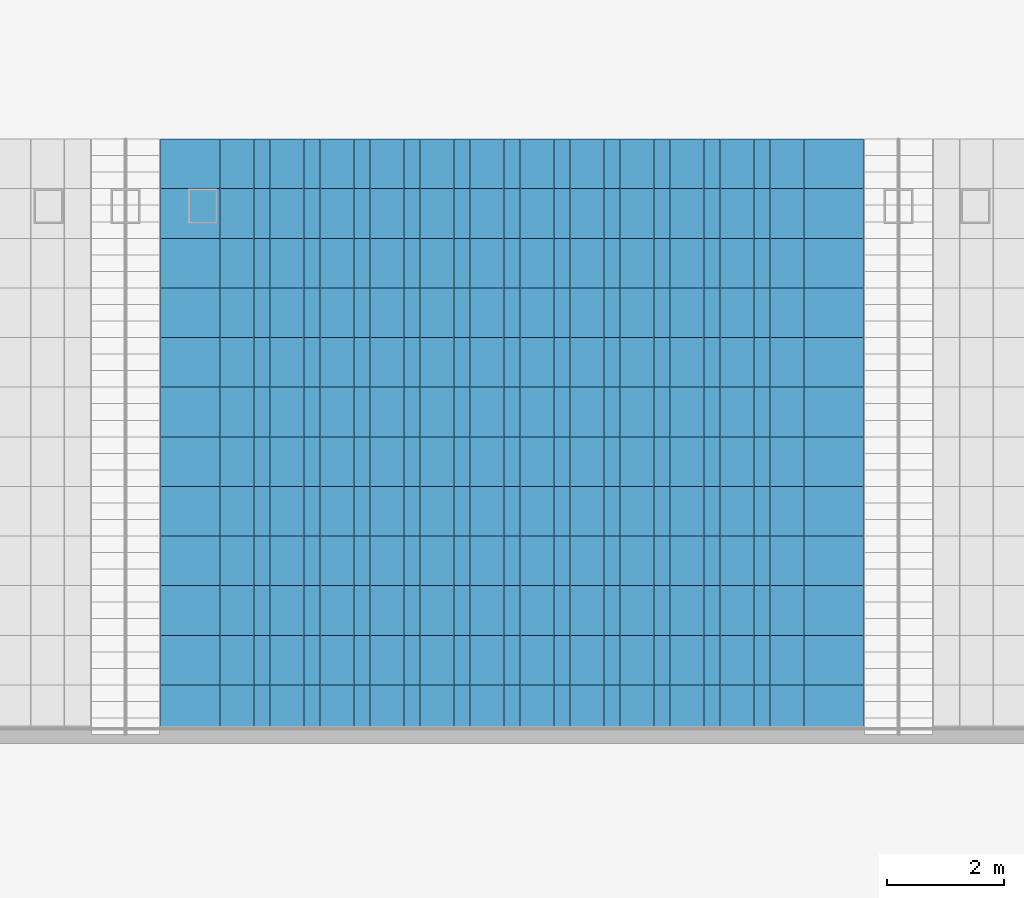
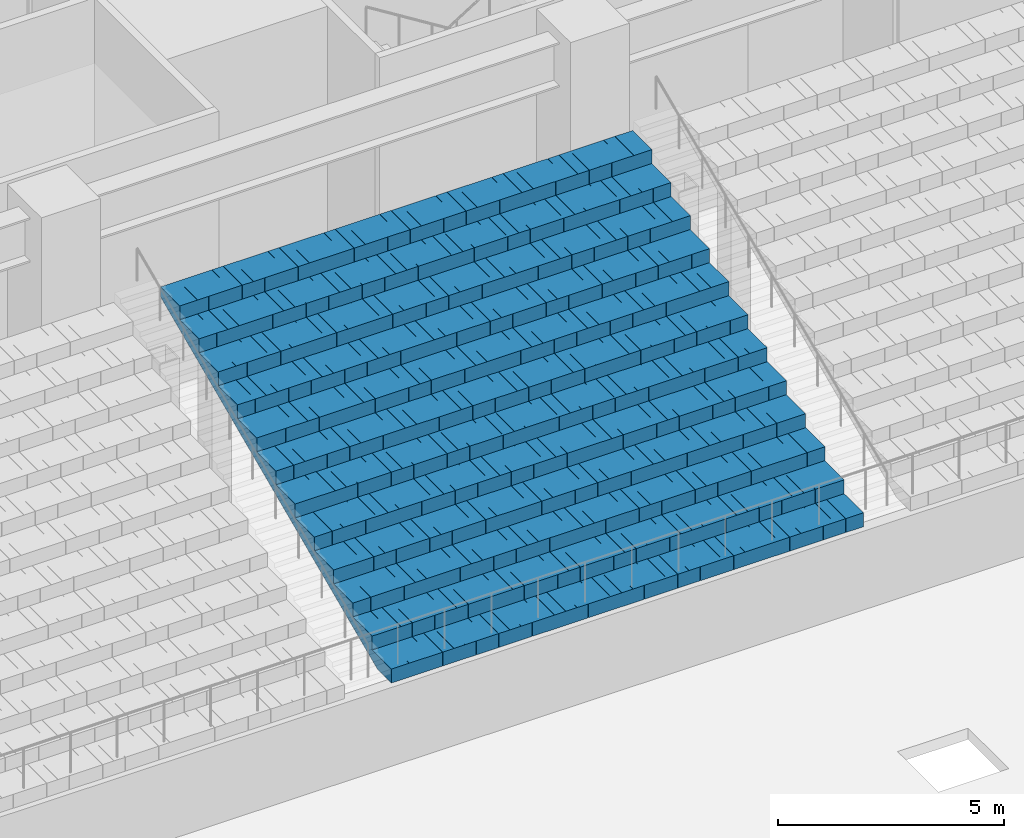
# One storey, part 27 of 62: 1 slab.
"""IFC4 building model written with IfcOpenShell, lengths in metres."""

import ifcopenshell
import ifcopenshell.guid

model = None  # the IFC model being written
_history = None  # IfcOwnerHistory: only IFC2X3 demands one
_inside = {}  # id of a spatial element -> (the spatial element, [elements in it])
_under = {}  # id of a project, library or spatial element -> (it, [spatial elements below it])
_declared = {}  # id of a project -> (the project, [libraries it declares])
_typed = {}  # id of a type object -> (the type object, [elements of that type])
_made_of = {}  # id of a material, layer set ... -> (it, [elements and type objects made of it])


def new_model(schema):
    """Start an empty IFC model of exactly this schema.

    Asked for "IFC4X3", IfcOpenShell would pick the latest addendum, in which some entities
    have other attributes; the version numbers below select the first issue.
    IFC2X3 requires an IfcOwnerHistory on every rooted entity: one is made here for all.
    """
    global model, _history
    if schema == "IFC4X3":
        model = ifcopenshell.file(schema_version=(4, 3, 0, 0))
    else:
        model = ifcopenshell.file(schema=schema)
    _inside.clear()
    _under.clear()
    _declared.clear()
    _typed.clear()
    _made_of.clear()
    _history = None
    if model.schema == "IFC2X3":
        org = make("IfcOrganization", Name="unknown")
        user = make(
            "IfcPersonAndOrganization",
            ThePerson=make("IfcPerson", FamilyName="unknown"),
            TheOrganization=org,
        )
        app = make(
            "IfcApplication",
            ApplicationDeveloper=org,
            Version="unknown",
            ApplicationFullName="unknown",
            ApplicationIdentifier="unknown",
        )
        _history = make(
            "IfcOwnerHistory",
            OwningUser=user,
            OwningApplication=app,
            ChangeAction="ADDED",
            CreationDate=0,
        )
    return model


def make(cls, **values):
    """One entity of the class cls with the attributes given. An attribute that is None is left unset."""
    return model.create_entity(
        cls, **{name: value for name, value in values.items() if value is not None}
    )


def rooted(cls, **values):
    """An entity with a GlobalId (a new one), such as an element, a storey or a relation."""
    return make(cls, GlobalId=ifcopenshell.guid.new(), OwnerHistory=_history, **values)


def si_unit(unit_type, name, prefix=None):
    """IfcSIUnit, for example si_unit("LENGTHUNIT", "METRE", prefix="MILLI")."""
    return make("IfcSIUnit", UnitType=unit_type, Prefix=prefix, Name=name)


def assignment(units):
    """IfcUnitAssignment: the units of a project."""
    return None if units is None else make("IfcUnitAssignment", Units=units)


def point(xyz):
    """IfcCartesianPoint."""
    return None if xyz is None else make("IfcCartesianPoint", Coordinates=xyz)


def direction(xyz):
    """IfcDirection."""
    return None if xyz is None else make("IfcDirection", DirectionRatios=xyz)


def frame(location, z_axis=None, x_axis=None):
    """IfcAxis2Placement3D, a coordinate frame: its origin and axes. An axis left out is left unset."""
    return make(
        "IfcAxis2Placement3D",
        Location=point(location),
        Axis=direction(z_axis),
        RefDirection=direction(x_axis),
    )


def origin():
    """The frame at (0, 0, 0) with its axes left unset."""
    return frame((0.0, 0.0, 0.0))


def place(relative_to, where):
    """IfcLocalPlacement: puts the frame where relative to a parent placement (None: the world)."""
    return make(
        "IfcLocalPlacement", PlacementRelTo=relative_to, RelativePlacement=where
    )


def context(
    kind, dimensions, precision=None, world=None, true_north=None, identifier=None
):
    """IfcGeometricRepresentationContext, for example the 3D "Model" context."""
    return make(
        "IfcGeometricRepresentationContext",
        ContextIdentifier=identifier,
        ContextType=kind,
        CoordinateSpaceDimension=dimensions,
        Precision=precision,
        WorldCoordinateSystem=world,
        TrueNorth=true_north,
    )


def subcontext(parent, identifier, kind, view, scale=None):
    """IfcGeometricRepresentationSubContext, for example "Body" below "Model"."""
    return make(
        "IfcGeometricRepresentationSubContext",
        ContextIdentifier=identifier,
        ContextType=kind,
        ParentContext=parent,
        TargetScale=scale,
        TargetView=view,
    )


def project(units=None, contexts=None):
    """IfcProject with its units and contexts."""
    return rooted(
        "IfcProject",
        Name="project",
        RepresentationContexts=contexts,
        UnitsInContext=assignment(units),
    )


def spatial(cls, under=None, at=None, **own):
    """A site, building, storey or space (cls), placed at a placement, below another one or the project."""
    s = rooted(cls, ObjectPlacement=at, **own)
    if under is not None:
        _under.setdefault(under.id(), (under, []))[1].append(s)
    return s


def polyline(points):
    """IfcPolyline through the points."""
    return make("IfcPolyline", Points=[point(p) for p in points])


def outline(outer, holes=None, kind="AREA"):
    """IfcArbitraryClosedProfileDef: a profile drawn as a closed curve; with holes, ...WithVoids."""
    if holes is None:
        return make("IfcArbitraryClosedProfileDef", ProfileType=kind, OuterCurve=outer)
    return make(
        "IfcArbitraryProfileDefWithVoids",
        ProfileType=kind,
        OuterCurve=outer,
        InnerCurves=holes,
    )


def extrude(swept, where, along, depth):
    """IfcExtrudedAreaSolid: the profile swept, set in the frame where, extruded along a direction by depth."""
    return make(
        "IfcExtrudedAreaSolid",
        SweptArea=swept,
        Position=where,
        ExtrudedDirection=direction(along),
        Depth=depth,
    )


def shape(context_of_items, identifier, shape_type, items):
    """IfcShapeRepresentation: the items that make up one representation, for example the "Body"."""
    return make(
        "IfcShapeRepresentation",
        ContextOfItems=context_of_items,
        RepresentationIdentifier=identifier,
        RepresentationType=shape_type,
        Items=items,
    )


def material(Name=None, Category=None):
    """IfcMaterial."""
    return make("IfcMaterial", Name=Name, Category=Category)


def layer(
    of_material, thickness, ventilated=None, Name=None, Category=None, Priority=None
):
    """IfcMaterialLayer: one layer of a wall or slab, of a material (None: an air gap)."""
    return make(
        "IfcMaterialLayer",
        Material=of_material,
        LayerThickness=thickness,
        IsVentilated=ventilated,
        Name=Name,
        Category=Category,
        Priority=Priority,
    )


def layer_set(layers, Name=None):
    """IfcMaterialLayerSet."""
    return make("IfcMaterialLayerSet", MaterialLayers=layers, LayerSetName=Name)


def made_of(thing, what):
    """Note that an element or type object is made of a material, layer set ...; save() writes the relation."""
    if what is not None:
        _made_of.setdefault(what.id(), (what, []))[1].append(thing)
    return thing


def type_object(cls, material=None, **own):
    """A type object (cls), such as IfcWallType, which elements share."""
    return made_of(rooted(cls, **own), material)


def element(
    cls,
    number,
    at=None,
    inside=None,
    cuts=None,
    type_object=None,
    material=None,
    context=None,
    identifier="Body",
    shape_type=None,
    held_by="IfcProductDefinitionShape",
    body=None,
    shapes=None,
    **own,
):
    """One element of the class cls, such as IfcWall. Its Tag is "e" and its number.

    at: its placement. inside: the storey or other place that contains it. cuts: it is an
    opening in that element (IfcRelVoidsElement). A single representation is given by context,
    identifier, shape_type and body (its items); several are given by shapes. held_by: the class
    of the entity that holds the representations. save() writes the other relations.
    """
    e = rooted(cls, Tag="e%d" % number, ObjectPlacement=at, **own)
    if body is not None:
        shapes = [shape(context, identifier, shape_type, body)]
    if shapes is not None:
        e.Representation = make(held_by, Representations=shapes)
    if inside is not None:
        _inside.setdefault(inside.id(), (inside, []))[1].append(e)
    if cuts is not None:
        rooted(
            "IfcRelVoidsElement", RelatingBuildingElement=cuts, RelatedOpeningElement=e
        )
    if type_object is not None:
        _typed.setdefault(type_object.id(), (type_object, []))[1].append(e)
    return made_of(e, material)


def aggregate(whole, parts):
    """IfcRelAggregates: a whole, such as a stair, and the parts it consists of."""
    return rooted("IfcRelAggregates", RelatingObject=whole, RelatedObjects=parts)


def save(model, path):
    """Write the relations noted so far, then the file.

    IfcRelAggregates (storeys below a building ...), IfcRelContainedInSpatialStructure (elements
    in a storey), IfcRelDefinesByType, IfcRelAssociatesMaterial and IfcRelDeclares: one each for
    every whole, place, type object, material and project.
    """
    for whole, parts in _under.values():
        aggregate(whole, parts)
    for where, things in _inside.values():
        rooted(
            "IfcRelContainedInSpatialStructure",
            RelatedElements=things,
            RelatingStructure=where,
        )
    for kind, things in _typed.values():
        rooted("IfcRelDefinesByType", RelatedObjects=things, RelatingType=kind)
    for what, things in _made_of.values():
        rooted("IfcRelAssociatesMaterial", RelatedObjects=things, RelatingMaterial=what)
    for by, libraries in _declared.values():
        rooted("IfcRelDeclares", RelatingContext=by, RelatedDefinitions=libraries)
    model.write(path)


model = new_model("IFC4")

# Units and contexts
model_context = context("Model", 3, precision=1e-05, world=origin(), true_north=direction((0.0, 1.0)))
body_context = subcontext(model_context, "Body", "Model", "MODEL_VIEW")
ifc_project = project(units=[si_unit("LENGTHUNIT", "METRE"), si_unit("AREAUNIT", "SQUARE_METRE"), si_unit("VOLUMEUNIT", "CUBIC_METRE"), si_unit("PLANEANGLEUNIT", "RADIAN"), si_unit("MASSUNIT", "GRAM", prefix="KILO")], contexts=[model_context])

# Site, building, storey
site_placement = place(None, origin())
site = spatial("IfcSite", under=ifc_project, at=site_placement, CompositionType="ELEMENT")
building_placement = place(site_placement, origin())
building = spatial("IfcBuilding", under=site, at=building_placement, Name="Corbelhall Arena Tower", CompositionType="ELEMENT")
storey_placement = place(building_placement, frame((0.0, 0.0, 12.0)))
storey = spatial("IfcBuildingStorey", under=building, at=storey_placement, Name="L01", CompositionType="ELEMENT", Elevation=12.0)

# Slab
ifc_material = material(Name="Precast concrete C40/50", Category="concrete")
ifc_layer = layer(ifc_material, 0.25)
ifc_layer_set = layer_set([ifc_layer], Name="AR-TIER-RAKED")
slab_type = type_object("IfcSlabType", Name="AR-TIER-RAKED", PredefinedType="FLOOR", material=ifc_layer_set)
slab_placement = place(storey_placement, frame((13.239990234375, 15.14990234375, 2.125), z_axis=(0.0, 0.0, 1.0), x_axis=(0.0, 1.0, 0.0)))
element("IfcSlab", 1, at=slab_placement, inside=storey, type_object=slab_type, Name="Tier section LND", PredefinedType="FLOOR", context=body_context, shape_type="SweptSolid", body=[
    extrude(outline(polyline([(0.0, 0.0), (0.0, 0.375), (0.85009765625, 0.375), (0.85009765625, 0.75), (1.699951171875, 0.75), (1.699951171875, 1.125), (2.550048828125, 1.125), (2.550048828125, 1.5), (3.39990234375, 1.5), (3.39990234375, 1.875), (4.25, 1.875), (4.25, 2.25), (5.10009765625, 2.25), (5.10009765625, 2.625), (5.949951171875, 2.625), (5.949951171875, 3.0), (6.800048828125, 3.0), (6.800048828125, 3.375), (7.64990234375, 3.375), (7.64990234375, 3.75), (8.5, 3.75), (8.5, 4.125), (9.35009765625, 4.125), (9.35009765625, 4.5), (10.199951171875, 4.5), (10.199951171875, 4.875), (10.199951171875, 4.226806640625), (0.619384765625, 0.0), (0.0, 0.0)])), frame((0.0, 6.02001953125, 0.0), z_axis=(0.0, -1.0, 0.0), x_axis=(1.0, 0.0, 0.0)), (0.0, 0.0, 1.0), 0.449951171875),
    extrude(outline(polyline([(0.0, 0.0), (0.0, 0.375), (0.85009765625, 0.375), (0.85009765625, 0.75), (1.699951171875, 0.75), (1.699951171875, 1.125), (2.550048828125, 1.125), (2.550048828125, 1.5), (3.39990234375, 1.5), (3.39990234375, 1.875), (4.25, 1.875), (4.25, 2.25), (5.10009765625, 2.25), (5.10009765625, 2.625), (5.949951171875, 2.625), (5.949951171875, 3.0), (6.800048828125, 3.0), (6.800048828125, 3.375), (7.64990234375, 3.375), (7.64990234375, 3.75), (8.5, 3.75), (8.5, 4.125), (9.35009765625, 4.125), (9.35009765625, 4.5), (10.199951171875, 4.5), (10.199951171875, 4.875), (10.199951171875, 4.226806640625), (0.619384765625, 0.0), (0.0, 0.0)])), frame((0.0, 5.56591796875, 0.0), z_axis=(0.0, -1.0, 0.0), x_axis=(1.0, 0.0, 0.0)), (0.0, 0.0, 1.0), 0.281494140625),
    extrude(outline(polyline([(0.0, 0.0), (0.0, 0.375), (0.85009765625, 0.375), (0.85009765625, 0.75), (1.699951171875, 0.75), (1.699951171875, 1.125), (2.550048828125, 1.125), (2.550048828125, 1.5), (3.39990234375, 1.5), (3.39990234375, 1.875), (4.25, 1.875), (4.25, 2.25), (5.10009765625, 2.25), (5.10009765625, 2.625), (5.949951171875, 2.625), (5.949951171875, 3.0), (6.800048828125, 3.0), (6.800048828125, 3.375), (7.64990234375, 3.375), (7.64990234375, 3.75), (8.5, 3.75), (8.5, 4.125), (9.35009765625, 4.125), (9.35009765625, 4.5), (10.199951171875, 4.5), (10.199951171875, 4.875), (10.199951171875, 4.226806640625), (0.619384765625, 0.0), (0.0, 0.0)])), frame((0.0, 5.280517578125, 0.0), z_axis=(0.0, -1.0, 0.0), x_axis=(1.0, 0.0, 0.0)), (0.0, 0.0, 1.0), 0.281494140625),
    extrude(outline(polyline([(0.0, 0.0), (0.0, 0.375), (0.85009765625, 0.375), (0.85009765625, 0.75), (1.699951171875, 0.75), (1.699951171875, 1.125), (2.550048828125, 1.125), (2.550048828125, 1.5), (3.39990234375, 1.5), (3.39990234375, 1.875), (4.25, 1.875), (4.25, 2.25), (5.10009765625, 2.25), (5.10009765625, 2.625), (5.949951171875, 2.625), (5.949951171875, 3.0), (6.800048828125, 3.0), (6.800048828125, 3.375), (7.64990234375, 3.375), (7.64990234375, 3.75), (8.5, 3.75), (8.5, 4.125), (9.35009765625, 4.125), (9.35009765625, 4.5), (10.199951171875, 4.5), (10.199951171875, 4.875), (10.199951171875, 4.226806640625), (0.619384765625, 0.0), (0.0, 0.0)])), frame((0.0, 4.994873046875, 0.0), z_axis=(0.0, -1.0, 0.0), x_axis=(1.0, 0.0, 0.0)), (0.0, 0.0, 1.0), 0.281494140625),
    extrude(outline(polyline([(0.0, 0.0), (0.0, 0.375), (0.85009765625, 0.375), (0.85009765625, 0.75), (1.699951171875, 0.75), (1.699951171875, 1.125), (2.550048828125, 1.125), (2.550048828125, 1.5), (3.39990234375, 1.5), (3.39990234375, 1.875), (4.25, 1.875), (4.25, 2.25), (5.10009765625, 2.25), (5.10009765625, 2.625), (5.949951171875, 2.625), (5.949951171875, 3.0), (6.800048828125, 3.0), (6.800048828125, 3.375), (7.64990234375, 3.375), (7.64990234375, 3.75), (8.5, 3.75), (8.5, 4.125), (9.35009765625, 4.125), (9.35009765625, 4.5), (10.199951171875, 4.5), (10.199951171875, 4.875), (10.199951171875, 4.226806640625), (0.619384765625, 0.0), (0.0, 0.0)])), frame((0.0, 4.70947265625, 0.0), z_axis=(0.0, -1.0, 0.0), x_axis=(1.0, 0.0, 0.0)), (0.0, 0.0, 1.0), 0.281494140625),
    extrude(outline(polyline([(0.0, 0.0), (0.0, 0.375), (0.85009765625, 0.375), (0.85009765625, 0.75), (1.699951171875, 0.75), (1.699951171875, 1.125), (2.550048828125, 1.125), (2.550048828125, 1.5), (3.39990234375, 1.5), (3.39990234375, 1.875), (4.25, 1.875), (4.25, 2.25), (5.10009765625, 2.25), (5.10009765625, 2.625), (5.949951171875, 2.625), (5.949951171875, 3.0), (6.800048828125, 3.0), (6.800048828125, 3.375), (7.64990234375, 3.375), (7.64990234375, 3.75), (8.5, 3.75), (8.5, 4.125), (9.35009765625, 4.125), (9.35009765625, 4.5), (10.199951171875, 4.5), (10.199951171875, 4.875), (10.199951171875, 4.226806640625), (0.619384765625, 0.0), (0.0, 0.0)])), frame((0.0, 4.423828125, 0.0), z_axis=(0.0, -1.0, 0.0), x_axis=(1.0, 0.0, 0.0)), (0.0, 0.0, 1.0), 0.281494140625),
    extrude(outline(polyline([(0.0, 0.0), (0.0, 0.375), (0.85009765625, 0.375), (0.85009765625, 0.75), (1.699951171875, 0.75), (1.699951171875, 1.125), (2.550048828125, 1.125), (2.550048828125, 1.5), (3.39990234375, 1.5), (3.39990234375, 1.875), (4.25, 1.875), (4.25, 2.25), (5.10009765625, 2.25), (5.10009765625, 2.625), (5.949951171875, 2.625), (5.949951171875, 3.0), (6.800048828125, 3.0), (6.800048828125, 3.375), (7.64990234375, 3.375), (7.64990234375, 3.75), (8.5, 3.75), (8.5, 4.125), (9.35009765625, 4.125), (9.35009765625, 4.5), (10.199951171875, 4.5), (10.199951171875, 4.875), (10.199951171875, 4.226806640625), (0.619384765625, 0.0), (0.0, 0.0)])), frame((0.0, 4.138427734375, 0.0), z_axis=(0.0, -1.0, 0.0), x_axis=(1.0, 0.0, 0.0)), (0.0, 0.0, 1.0), 0.281494140625),
    extrude(outline(polyline([(0.0, 0.0), (0.0, 0.375), (0.85009765625, 0.375), (0.85009765625, 0.75), (1.699951171875, 0.75), (1.699951171875, 1.125), (2.550048828125, 1.125), (2.550048828125, 1.5), (3.39990234375, 1.5), (3.39990234375, 1.875), (4.25, 1.875), (4.25, 2.25), (5.10009765625, 2.25), (5.10009765625, 2.625), (5.949951171875, 2.625), (5.949951171875, 3.0), (6.800048828125, 3.0), (6.800048828125, 3.375), (7.64990234375, 3.375), (7.64990234375, 3.75), (8.5, 3.75), (8.5, 4.125), (9.35009765625, 4.125), (9.35009765625, 4.5), (10.199951171875, 4.5), (10.199951171875, 4.875), (10.199951171875, 4.226806640625), (0.619384765625, 0.0), (0.0, 0.0)])), frame((0.0, 3.852783203125, 0.0), z_axis=(0.0, -1.0, 0.0), x_axis=(1.0, 0.0, 0.0)), (0.0, 0.0, 1.0), 0.281494140625),
    extrude(outline(polyline([(0.0, 0.0), (0.0, 0.375), (0.85009765625, 0.375), (0.85009765625, 0.75), (1.699951171875, 0.75), (1.699951171875, 1.125), (2.550048828125, 1.125), (2.550048828125, 1.5), (3.39990234375, 1.5), (3.39990234375, 1.875), (4.25, 1.875), (4.25, 2.25), (5.10009765625, 2.25), (5.10009765625, 2.625), (5.949951171875, 2.625), (5.949951171875, 3.0), (6.800048828125, 3.0), (6.800048828125, 3.375), (7.64990234375, 3.375), (7.64990234375, 3.75), (8.5, 3.75), (8.5, 4.125), (9.35009765625, 4.125), (9.35009765625, 4.5), (10.199951171875, 4.5), (10.199951171875, 4.875), (10.199951171875, 4.226806640625), (0.619384765625, 0.0), (0.0, 0.0)])), frame((0.0, 3.567138671875, 0.0), z_axis=(0.0, -1.0, 0.0), x_axis=(1.0, 0.0, 0.0)), (0.0, 0.0, 1.0), 0.281494140625),
    extrude(outline(polyline([(0.0, 0.0), (0.0, 0.375), (0.85009765625, 0.375), (0.85009765625, 0.75), (1.699951171875, 0.75), (1.699951171875, 1.125), (2.550048828125, 1.125), (2.550048828125, 1.5), (3.39990234375, 1.5), (3.39990234375, 1.875), (4.25, 1.875), (4.25, 2.25), (5.10009765625, 2.25), (5.10009765625, 2.625), (5.949951171875, 2.625), (5.949951171875, 3.0), (6.800048828125, 3.0), (6.800048828125, 3.375), (7.64990234375, 3.375), (7.64990234375, 3.75), (8.5, 3.75), (8.5, 4.125), (9.35009765625, 4.125), (9.35009765625, 4.5), (10.199951171875, 4.5), (10.199951171875, 4.875), (10.199951171875, 4.226806640625), (0.619384765625, 0.0), (0.0, 0.0)])), frame((0.0, 3.28173828125, 0.0), z_axis=(0.0, -1.0, 0.0), x_axis=(1.0, 0.0, 0.0)), (0.0, 0.0, 1.0), 0.281494140625),
    extrude(outline(polyline([(0.0, 0.0), (0.0, 0.375), (0.85009765625, 0.375), (0.85009765625, 0.75), (1.699951171875, 0.75), (1.699951171875, 1.125), (2.550048828125, 1.125), (2.550048828125, 1.5), (3.39990234375, 1.5), (3.39990234375, 1.875), (4.25, 1.875), (4.25, 2.25), (5.10009765625, 2.25), (5.10009765625, 2.625), (5.949951171875, 2.625), (5.949951171875, 3.0), (6.800048828125, 3.0), (6.800048828125, 3.375), (7.64990234375, 3.375), (7.64990234375, 3.75), (8.5, 3.75), (8.5, 4.125), (9.35009765625, 4.125), (9.35009765625, 4.5), (10.199951171875, 4.5), (10.199951171875, 4.875), (10.199951171875, 4.226806640625), (0.619384765625, 0.0), (0.0, 0.0)])), frame((0.0, 2.99609375, 0.0), z_axis=(0.0, -1.0, 0.0), x_axis=(1.0, 0.0, 0.0)), (0.0, 0.0, 1.0), 0.281494140625),
    extrude(outline(polyline([(0.0, 0.0), (0.0, 0.375), (0.85009765625, 0.375), (0.85009765625, 0.75), (1.699951171875, 0.75), (1.699951171875, 1.125), (2.550048828125, 1.125), (2.550048828125, 1.5), (3.39990234375, 1.5), (3.39990234375, 1.875), (4.25, 1.875), (4.25, 2.25), (5.10009765625, 2.25), (5.10009765625, 2.625), (5.949951171875, 2.625), (5.949951171875, 3.0), (6.800048828125, 3.0), (6.800048828125, 3.375), (7.64990234375, 3.375), (7.64990234375, 3.75), (8.5, 3.75), (8.5, 4.125), (9.35009765625, 4.125), (9.35009765625, 4.5), (10.199951171875, 4.5), (10.199951171875, 4.875), (10.199951171875, 4.226806640625), (0.619384765625, 0.0), (0.0, 0.0)])), frame((0.0, 2.710693359375, 0.0), z_axis=(0.0, -1.0, 0.0), x_axis=(1.0, 0.0, 0.0)), (0.0, 0.0, 1.0), 0.281494140625),
    extrude(outline(polyline([(0.0, 0.0), (0.0, 0.375), (0.85009765625, 0.375), (0.85009765625, 0.75), (1.699951171875, 0.75), (1.699951171875, 1.125), (2.550048828125, 1.125), (2.550048828125, 1.5), (3.39990234375, 1.5), (3.39990234375, 1.875), (4.25, 1.875), (4.25, 2.25), (5.10009765625, 2.25), (5.10009765625, 2.625), (5.949951171875, 2.625), (5.949951171875, 3.0), (6.800048828125, 3.0), (6.800048828125, 3.375), (7.64990234375, 3.375), (7.64990234375, 3.75), (8.5, 3.75), (8.5, 4.125), (9.35009765625, 4.125), (9.35009765625, 4.5), (10.199951171875, 4.5), (10.199951171875, 4.875), (10.199951171875, 4.226806640625), (0.619384765625, 0.0), (0.0, 0.0)])), frame((0.0, 2.425048828125, 0.0), z_axis=(0.0, -1.0, 0.0), x_axis=(1.0, 0.0, 0.0)), (0.0, 0.0, 1.0), 0.281494140625),
    extrude(outline(polyline([(0.0, 0.0), (0.0, 0.375), (0.85009765625, 0.375), (0.85009765625, 0.75), (1.699951171875, 0.75), (1.699951171875, 1.125), (2.550048828125, 1.125), (2.550048828125, 1.5), (3.39990234375, 1.5), (3.39990234375, 1.875), (4.25, 1.875), (4.25, 2.25), (5.10009765625, 2.25), (5.10009765625, 2.625), (5.949951171875, 2.625), (5.949951171875, 3.0), (6.800048828125, 3.0), (6.800048828125, 3.375), (7.64990234375, 3.375), (7.64990234375, 3.75), (8.5, 3.75), (8.5, 4.125), (9.35009765625, 4.125), (9.35009765625, 4.5), (10.199951171875, 4.5), (10.199951171875, 4.875), (10.199951171875, 4.226806640625), (0.619384765625, 0.0), (0.0, 0.0)])), frame((0.0, 2.1396484375, 0.0), z_axis=(0.0, -1.0, 0.0), x_axis=(1.0, 0.0, 0.0)), (0.0, 0.0, 1.0), 0.281494140625),
    extrude(outline(polyline([(0.0, 0.0), (0.0, 0.375), (0.85009765625, 0.375), (0.85009765625, 0.75), (1.699951171875, 0.75), (1.699951171875, 1.125), (2.550048828125, 1.125), (2.550048828125, 1.5), (3.39990234375, 1.5), (3.39990234375, 1.875), (4.25, 1.875), (4.25, 2.25), (5.10009765625, 2.25), (5.10009765625, 2.625), (5.949951171875, 2.625), (5.949951171875, 3.0), (6.800048828125, 3.0), (6.800048828125, 3.375), (7.64990234375, 3.375), (7.64990234375, 3.75), (8.5, 3.75), (8.5, 4.125), (9.35009765625, 4.125), (9.35009765625, 4.5), (10.199951171875, 4.5), (10.199951171875, 4.875), (10.199951171875, 4.226806640625), (0.619384765625, 0.0), (0.0, 0.0)])), frame((0.0, 1.85400390625, 0.0), z_axis=(0.0, -1.0, 0.0), x_axis=(1.0, 0.0, 0.0)), (0.0, 0.0, 1.0), 0.281494140625),
    extrude(outline(polyline([(0.0, 0.0), (0.0, 0.375), (0.85009765625, 0.375), (0.85009765625, 0.75), (1.699951171875, 0.75), (1.699951171875, 1.125), (2.550048828125, 1.125), (2.550048828125, 1.5), (3.39990234375, 1.5), (3.39990234375, 1.875), (4.25, 1.875), (4.25, 2.25), (5.10009765625, 2.25), (5.10009765625, 2.625), (5.949951171875, 2.625), (5.949951171875, 3.0), (6.800048828125, 3.0), (6.800048828125, 3.375), (7.64990234375, 3.375), (7.64990234375, 3.75), (8.5, 3.75), (8.5, 4.125), (9.35009765625, 4.125), (9.35009765625, 4.5), (10.199951171875, 4.5), (10.199951171875, 4.875), (10.199951171875, 4.226806640625), (0.619384765625, 0.0), (0.0, 0.0)])), frame((0.0, 1.568359375, 0.0), z_axis=(0.0, -1.0, 0.0), x_axis=(1.0, 0.0, 0.0)), (0.0, 0.0, 1.0), 0.281494140625),
    extrude(outline(polyline([(0.0, 0.0), (0.0, 0.375), (0.85009765625, 0.375), (0.85009765625, 0.75), (1.699951171875, 0.75), (1.699951171875, 1.125), (2.550048828125, 1.125), (2.550048828125, 1.5), (3.39990234375, 1.5), (3.39990234375, 1.875), (4.25, 1.875), (4.25, 2.25), (5.10009765625, 2.25), (5.10009765625, 2.625), (5.949951171875, 2.625), (5.949951171875, 3.0), (6.800048828125, 3.0), (6.800048828125, 3.375), (7.64990234375, 3.375), (7.64990234375, 3.75), (8.5, 3.75), (8.5, 4.125), (9.35009765625, 4.125), (9.35009765625, 4.5), (10.199951171875, 4.5), (10.199951171875, 4.875), (10.199951171875, 4.226806640625), (0.619384765625, 0.0), (0.0, 0.0)])), frame((0.0, 1.282958984375, 0.0), z_axis=(0.0, -1.0, 0.0), x_axis=(1.0, 0.0, 0.0)), (0.0, 0.0, 1.0), 0.281494140625),
    extrude(outline(polyline([(0.0, 0.0), (0.0, 0.375), (0.85009765625, 0.375), (0.85009765625, 0.75), (1.699951171875, 0.75), (1.699951171875, 1.125), (2.550048828125, 1.125), (2.550048828125, 1.5), (3.39990234375, 1.5), (3.39990234375, 1.875), (4.25, 1.875), (4.25, 2.25), (5.10009765625, 2.25), (5.10009765625, 2.625), (5.949951171875, 2.625), (5.949951171875, 3.0), (6.800048828125, 3.0), (6.800048828125, 3.375), (7.64990234375, 3.375), (7.64990234375, 3.75), (8.5, 3.75), (8.5, 4.125), (9.35009765625, 4.125), (9.35009765625, 4.5), (10.199951171875, 4.5), (10.199951171875, 4.875), (10.199951171875, 4.226806640625), (0.619384765625, 0.0), (0.0, 0.0)])), frame((0.0, 0.997314453125, 0.0), z_axis=(0.0, -1.0, 0.0), x_axis=(1.0, 0.0, 0.0)), (0.0, 0.0, 1.0), 0.281494140625),
    extrude(outline(polyline([(0.0, 0.0), (0.0, 0.375), (0.85009765625, 0.375), (0.85009765625, 0.75), (1.699951171875, 0.75), (1.699951171875, 1.125), (2.550048828125, 1.125), (2.550048828125, 1.5), (3.39990234375, 1.5), (3.39990234375, 1.875), (4.25, 1.875), (4.25, 2.25), (5.10009765625, 2.25), (5.10009765625, 2.625), (5.949951171875, 2.625), (5.949951171875, 3.0), (6.800048828125, 3.0), (6.800048828125, 3.375), (7.64990234375, 3.375), (7.64990234375, 3.75), (8.5, 3.75), (8.5, 4.125), (9.35009765625, 4.125), (9.35009765625, 4.5), (10.199951171875, 4.5), (10.199951171875, 4.875), (10.199951171875, 4.226806640625), (0.619384765625, 0.0), (0.0, 0.0)])), frame((0.0, 0.7119140625, 0.0), z_axis=(0.0, -1.0, 0.0), x_axis=(1.0, 0.0, 0.0)), (0.0, 0.0, 1.0), 0.281494140625),
    extrude(outline(polyline([(0.0, 0.0), (0.0, 0.375), (0.85009765625, 0.375), (0.85009765625, 0.75), (1.699951171875, 0.75), (1.699951171875, 1.125), (2.550048828125, 1.125), (2.550048828125, 1.5), (3.39990234375, 1.5), (3.39990234375, 1.875), (4.25, 1.875), (4.25, 2.25), (5.10009765625, 2.25), (5.10009765625, 2.625), (5.949951171875, 2.625), (5.949951171875, 3.0), (6.800048828125, 3.0), (6.800048828125, 3.375), (7.64990234375, 3.375), (7.64990234375, 3.75), (8.5, 3.75), (8.5, 4.125), (9.35009765625, 4.125), (9.35009765625, 4.5), (10.199951171875, 4.5), (10.199951171875, 4.875), (10.199951171875, 4.226806640625), (0.619384765625, 0.0), (0.0, 0.0)])), frame((0.0, 0.42626953125, 0.0), z_axis=(0.0, -1.0, 0.0), x_axis=(1.0, 0.0, 0.0)), (0.0, 0.0, 1.0), 0.281494140625),
    extrude(outline(polyline([(0.0, 0.0), (0.0, 0.375), (0.85009765625, 0.375), (0.85009765625, 0.75), (1.699951171875, 0.75), (1.699951171875, 1.125), (2.550048828125, 1.125), (2.550048828125, 1.5), (3.39990234375, 1.5), (3.39990234375, 1.875), (4.25, 1.875), (4.25, 2.25), (5.10009765625, 2.25), (5.10009765625, 2.625), (5.949951171875, 2.625), (5.949951171875, 3.0), (6.800048828125, 3.0), (6.800048828125, 3.375), (7.64990234375, 3.375), (7.64990234375, 3.75), (8.5, 3.75), (8.5, 4.125), (9.35009765625, 4.125), (9.35009765625, 4.5), (10.199951171875, 4.5), (10.199951171875, 4.875), (10.199951171875, 4.226806640625), (0.619384765625, 0.0), (0.0, 0.0)])), frame((0.0, 0.140869140625, 0.0), z_axis=(0.0, -1.0, 0.0), x_axis=(1.0, 0.0, 0.0)), (0.0, 0.0, 1.0), 0.281494140625),
    extrude(outline(polyline([(0.0, 0.0), (0.0, 0.375), (0.85009765625, 0.375), (0.85009765625, 0.75), (1.699951171875, 0.75), (1.699951171875, 1.125), (2.550048828125, 1.125), (2.550048828125, 1.5), (3.39990234375, 1.5), (3.39990234375, 1.875), (4.25, 1.875), (4.25, 2.25), (5.10009765625, 2.25), (5.10009765625, 2.625), (5.949951171875, 2.625), (5.949951171875, 3.0), (6.800048828125, 3.0), (6.800048828125, 3.375), (7.64990234375, 3.375), (7.64990234375, 3.75), (8.5, 3.75), (8.5, 4.125), (9.35009765625, 4.125), (9.35009765625, 4.5), (10.199951171875, 4.5), (10.199951171875, 4.875), (10.199951171875, 4.226806640625), (0.619384765625, 0.0), (0.0, 0.0)])), frame((0.0, -0.144775390625, 0.0), z_axis=(0.0, -1.0, 0.0), x_axis=(1.0, 0.0, 0.0)), (0.0, 0.0, 1.0), 0.281494140625),
    extrude(outline(polyline([(0.0, 0.0), (0.0, 0.375), (0.85009765625, 0.375), (0.85009765625, 0.75), (1.699951171875, 0.75), (1.699951171875, 1.125), (2.550048828125, 1.125), (2.550048828125, 1.5), (3.39990234375, 1.5), (3.39990234375, 1.875), (4.25, 1.875), (4.25, 2.25), (5.10009765625, 2.25), (5.10009765625, 2.625), (5.949951171875, 2.625), (5.949951171875, 3.0), (6.800048828125, 3.0), (6.800048828125, 3.375), (7.64990234375, 3.375), (7.64990234375, 3.75), (8.5, 3.75), (8.5, 4.125), (9.35009765625, 4.125), (9.35009765625, 4.5), (10.199951171875, 4.5), (10.199951171875, 4.875), (10.199951171875, 4.226806640625), (0.619384765625, 0.0), (0.0, 0.0)])), frame((0.0, -0.430419921875, 0.0), z_axis=(0.0, -1.0, 0.0), x_axis=(1.0, 0.0, 0.0)), (0.0, 0.0, 1.0), 0.281494140625),
    extrude(outline(polyline([(0.0, 0.0), (0.0, 0.375), (0.85009765625, 0.375), (0.85009765625, 0.75), (1.699951171875, 0.75), (1.699951171875, 1.125), (2.550048828125, 1.125), (2.550048828125, 1.5), (3.39990234375, 1.5), (3.39990234375, 1.875), (4.25, 1.875), (4.25, 2.25), (5.10009765625, 2.25), (5.10009765625, 2.625), (5.949951171875, 2.625), (5.949951171875, 3.0), (6.800048828125, 3.0), (6.800048828125, 3.375), (7.64990234375, 3.375), (7.64990234375, 3.75), (8.5, 3.75), (8.5, 4.125), (9.35009765625, 4.125), (9.35009765625, 4.5), (10.199951171875, 4.5), (10.199951171875, 4.875), (10.199951171875, 4.226806640625), (0.619384765625, 0.0), (0.0, 0.0)])), frame((0.0, -0.7158203125, 0.0), z_axis=(0.0, -1.0, 0.0), x_axis=(1.0, 0.0, 0.0)), (0.0, 0.0, 1.0), 0.281494140625),
    extrude(outline(polyline([(0.0, 0.0), (0.0, 0.375), (0.85009765625, 0.375), (0.85009765625, 0.75), (1.699951171875, 0.75), (1.699951171875, 1.125), (2.550048828125, 1.125), (2.550048828125, 1.5), (3.39990234375, 1.5), (3.39990234375, 1.875), (4.25, 1.875), (4.25, 2.25), (5.10009765625, 2.25), (5.10009765625, 2.625), (5.949951171875, 2.625), (5.949951171875, 3.0), (6.800048828125, 3.0), (6.800048828125, 3.375), (7.64990234375, 3.375), (7.64990234375, 3.75), (8.5, 3.75), (8.5, 4.125), (9.35009765625, 4.125), (9.35009765625, 4.5), (10.199951171875, 4.5), (10.199951171875, 4.875), (10.199951171875, 4.226806640625), (0.619384765625, 0.0), (0.0, 0.0)])), frame((0.0, -1.00146484375, 0.0), z_axis=(0.0, -1.0, 0.0), x_axis=(1.0, 0.0, 0.0)), (0.0, 0.0, 1.0), 0.281494140625),
    extrude(outline(polyline([(0.0, 0.0), (0.0, 0.375), (0.85009765625, 0.375), (0.85009765625, 0.75), (1.699951171875, 0.75), (1.699951171875, 1.125), (2.550048828125, 1.125), (2.550048828125, 1.5), (3.39990234375, 1.5), (3.39990234375, 1.875), (4.25, 1.875), (4.25, 2.25), (5.10009765625, 2.25), (5.10009765625, 2.625), (5.949951171875, 2.625), (5.949951171875, 3.0), (6.800048828125, 3.0), (6.800048828125, 3.375), (7.64990234375, 3.375), (7.64990234375, 3.75), (8.5, 3.75), (8.5, 4.125), (9.35009765625, 4.125), (9.35009765625, 4.5), (10.199951171875, 4.5), (10.199951171875, 4.875), (10.199951171875, 4.226806640625), (0.619384765625, 0.0), (0.0, 0.0)])), frame((0.0, -1.286865234375, 0.0), z_axis=(0.0, -1.0, 0.0), x_axis=(1.0, 0.0, 0.0)), (0.0, 0.0, 1.0), 0.281494140625),
    extrude(outline(polyline([(0.0, 0.0), (0.0, 0.375), (0.85009765625, 0.375), (0.85009765625, 0.75), (1.699951171875, 0.75), (1.699951171875, 1.125), (2.550048828125, 1.125), (2.550048828125, 1.5), (3.39990234375, 1.5), (3.39990234375, 1.875), (4.25, 1.875), (4.25, 2.25), (5.10009765625, 2.25), (5.10009765625, 2.625), (5.949951171875, 2.625), (5.949951171875, 3.0), (6.800048828125, 3.0), (6.800048828125, 3.375), (7.64990234375, 3.375), (7.64990234375, 3.75), (8.5, 3.75), (8.5, 4.125), (9.35009765625, 4.125), (9.35009765625, 4.5), (10.199951171875, 4.5), (10.199951171875, 4.875), (10.199951171875, 4.226806640625), (0.619384765625, 0.0), (0.0, 0.0)])), frame((0.0, -1.572509765625, 0.0), z_axis=(0.0, -1.0, 0.0), x_axis=(1.0, 0.0, 0.0)), (0.0, 0.0, 1.0), 0.281494140625),
    extrude(outline(polyline([(0.0, 0.0), (0.0, 0.375), (0.85009765625, 0.375), (0.85009765625, 0.75), (1.699951171875, 0.75), (1.699951171875, 1.125), (2.550048828125, 1.125), (2.550048828125, 1.5), (3.39990234375, 1.5), (3.39990234375, 1.875), (4.25, 1.875), (4.25, 2.25), (5.10009765625, 2.25), (5.10009765625, 2.625), (5.949951171875, 2.625), (5.949951171875, 3.0), (6.800048828125, 3.0), (6.800048828125, 3.375), (7.64990234375, 3.375), (7.64990234375, 3.75), (8.5, 3.75), (8.5, 4.125), (9.35009765625, 4.125), (9.35009765625, 4.5), (10.199951171875, 4.5), (10.199951171875, 4.875), (10.199951171875, 4.226806640625), (0.619384765625, 0.0), (0.0, 0.0)])), frame((0.0, -1.85791015625, 0.0), z_axis=(0.0, -1.0, 0.0), x_axis=(1.0, 0.0, 0.0)), (0.0, 0.0, 1.0), 0.281494140625),
    extrude(outline(polyline([(0.0, 0.0), (0.0, 0.375), (0.85009765625, 0.375), (0.85009765625, 0.75), (1.699951171875, 0.75), (1.699951171875, 1.125), (2.550048828125, 1.125), (2.550048828125, 1.5), (3.39990234375, 1.5), (3.39990234375, 1.875), (4.25, 1.875), (4.25, 2.25), (5.10009765625, 2.25), (5.10009765625, 2.625), (5.949951171875, 2.625), (5.949951171875, 3.0), (6.800048828125, 3.0), (6.800048828125, 3.375), (7.64990234375, 3.375), (7.64990234375, 3.75), (8.5, 3.75), (8.5, 4.125), (9.35009765625, 4.125), (9.35009765625, 4.5), (10.199951171875, 4.5), (10.199951171875, 4.875), (10.199951171875, 4.226806640625), (0.619384765625, 0.0), (0.0, 0.0)])), frame((0.0, -2.1435546875, 0.0), z_axis=(0.0, -1.0, 0.0), x_axis=(1.0, 0.0, 0.0)), (0.0, 0.0, 1.0), 0.281494140625),
    extrude(outline(polyline([(0.0, 0.0), (0.0, 0.375), (0.85009765625, 0.375), (0.85009765625, 0.75), (1.699951171875, 0.75), (1.699951171875, 1.125), (2.550048828125, 1.125), (2.550048828125, 1.5), (3.39990234375, 1.5), (3.39990234375, 1.875), (4.25, 1.875), (4.25, 2.25), (5.10009765625, 2.25), (5.10009765625, 2.625), (5.949951171875, 2.625), (5.949951171875, 3.0), (6.800048828125, 3.0), (6.800048828125, 3.375), (7.64990234375, 3.375), (7.64990234375, 3.75), (8.5, 3.75), (8.5, 4.125), (9.35009765625, 4.125), (9.35009765625, 4.5), (10.199951171875, 4.5), (10.199951171875, 4.875), (10.199951171875, 4.226806640625), (0.619384765625, 0.0), (0.0, 0.0)])), frame((0.0, -2.42919921875, 0.0), z_axis=(0.0, -1.0, 0.0), x_axis=(1.0, 0.0, 0.0)), (0.0, 0.0, 1.0), 0.281494140625),
    extrude(outline(polyline([(0.0, 0.0), (0.0, 0.375), (0.85009765625, 0.375), (0.85009765625, 0.75), (1.699951171875, 0.75), (1.699951171875, 1.125), (2.550048828125, 1.125), (2.550048828125, 1.5), (3.39990234375, 1.5), (3.39990234375, 1.875), (4.25, 1.875), (4.25, 2.25), (5.10009765625, 2.25), (5.10009765625, 2.625), (5.949951171875, 2.625), (5.949951171875, 3.0), (6.800048828125, 3.0), (6.800048828125, 3.375), (7.64990234375, 3.375), (7.64990234375, 3.75), (8.5, 3.75), (8.5, 4.125), (9.35009765625, 4.125), (9.35009765625, 4.5), (10.199951171875, 4.5), (10.199951171875, 4.875), (10.199951171875, 4.226806640625), (0.619384765625, 0.0), (0.0, 0.0)])), frame((0.0, -2.714599609375, 0.0), z_axis=(0.0, -1.0, 0.0), x_axis=(1.0, 0.0, 0.0)), (0.0, 0.0, 1.0), 0.281494140625),
    extrude(outline(polyline([(0.0, 0.0), (0.0, 0.375), (0.85009765625, 0.375), (0.85009765625, 0.75), (1.699951171875, 0.75), (1.699951171875, 1.125), (2.550048828125, 1.125), (2.550048828125, 1.5), (3.39990234375, 1.5), (3.39990234375, 1.875), (4.25, 1.875), (4.25, 2.25), (5.10009765625, 2.25), (5.10009765625, 2.625), (5.949951171875, 2.625), (5.949951171875, 3.0), (6.800048828125, 3.0), (6.800048828125, 3.375), (7.64990234375, 3.375), (7.64990234375, 3.75), (8.5, 3.75), (8.5, 4.125), (9.35009765625, 4.125), (9.35009765625, 4.5), (10.199951171875, 4.5), (10.199951171875, 4.875), (10.199951171875, 4.226806640625), (0.619384765625, 0.0), (0.0, 0.0)])), frame((0.0, -3.000244140625, 0.0), z_axis=(0.0, -1.0, 0.0), x_axis=(1.0, 0.0, 0.0)), (0.0, 0.0, 1.0), 0.281494140625),
    extrude(outline(polyline([(0.0, 0.0), (0.0, 0.375), (0.85009765625, 0.375), (0.85009765625, 0.75), (1.699951171875, 0.75), (1.699951171875, 1.125), (2.550048828125, 1.125), (2.550048828125, 1.5), (3.39990234375, 1.5), (3.39990234375, 1.875), (4.25, 1.875), (4.25, 2.25), (5.10009765625, 2.25), (5.10009765625, 2.625), (5.949951171875, 2.625), (5.949951171875, 3.0), (6.800048828125, 3.0), (6.800048828125, 3.375), (7.64990234375, 3.375), (7.64990234375, 3.75), (8.5, 3.75), (8.5, 4.125), (9.35009765625, 4.125), (9.35009765625, 4.5), (10.199951171875, 4.5), (10.199951171875, 4.875), (10.199951171875, 4.226806640625), (0.619384765625, 0.0), (0.0, 0.0)])), frame((0.0, -3.28564453125, 0.0), z_axis=(0.0, -1.0, 0.0), x_axis=(1.0, 0.0, 0.0)), (0.0, 0.0, 1.0), 0.281494140625),
    extrude(outline(polyline([(0.0, 0.0), (0.0, 0.375), (0.85009765625, 0.375), (0.85009765625, 0.75), (1.699951171875, 0.75), (1.699951171875, 1.125), (2.550048828125, 1.125), (2.550048828125, 1.5), (3.39990234375, 1.5), (3.39990234375, 1.875), (4.25, 1.875), (4.25, 2.25), (5.10009765625, 2.25), (5.10009765625, 2.625), (5.949951171875, 2.625), (5.949951171875, 3.0), (6.800048828125, 3.0), (6.800048828125, 3.375), (7.64990234375, 3.375), (7.64990234375, 3.75), (8.5, 3.75), (8.5, 4.125), (9.35009765625, 4.125), (9.35009765625, 4.5), (10.199951171875, 4.5), (10.199951171875, 4.875), (10.199951171875, 4.226806640625), (0.619384765625, 0.0), (0.0, 0.0)])), frame((0.0, -3.5712890625, 0.0), z_axis=(0.0, -1.0, 0.0), x_axis=(1.0, 0.0, 0.0)), (0.0, 0.0, 1.0), 0.281494140625),
    extrude(outline(polyline([(0.0, 0.0), (0.0, 0.375), (0.85009765625, 0.375), (0.85009765625, 0.75), (1.699951171875, 0.75), (1.699951171875, 1.125), (2.550048828125, 1.125), (2.550048828125, 1.5), (3.39990234375, 1.5), (3.39990234375, 1.875), (4.25, 1.875), (4.25, 2.25), (5.10009765625, 2.25), (5.10009765625, 2.625), (5.949951171875, 2.625), (5.949951171875, 3.0), (6.800048828125, 3.0), (6.800048828125, 3.375), (7.64990234375, 3.375), (7.64990234375, 3.75), (8.5, 3.75), (8.5, 4.125), (9.35009765625, 4.125), (9.35009765625, 4.5), (10.199951171875, 4.5), (10.199951171875, 4.875), (10.199951171875, 4.226806640625), (0.619384765625, 0.0), (0.0, 0.0)])), frame((0.0, -3.856689453125, 0.0), z_axis=(0.0, -1.0, 0.0), x_axis=(1.0, 0.0, 0.0)), (0.0, 0.0, 1.0), 0.281494140625),
    extrude(outline(polyline([(0.0, 0.0), (0.0, 0.375), (0.85009765625, 0.375), (0.85009765625, 0.75), (1.699951171875, 0.75), (1.699951171875, 1.125), (2.550048828125, 1.125), (2.550048828125, 1.5), (3.39990234375, 1.5), (3.39990234375, 1.875), (4.25, 1.875), (4.25, 2.25), (5.10009765625, 2.25), (5.10009765625, 2.625), (5.949951171875, 2.625), (5.949951171875, 3.0), (6.800048828125, 3.0), (6.800048828125, 3.375), (7.64990234375, 3.375), (7.64990234375, 3.75), (8.5, 3.75), (8.5, 4.125), (9.35009765625, 4.125), (9.35009765625, 4.5), (10.199951171875, 4.5), (10.199951171875, 4.875), (10.199951171875, 4.226806640625), (0.619384765625, 0.0), (0.0, 0.0)])), frame((0.0, -4.142333984375, 0.0), z_axis=(0.0, -1.0, 0.0), x_axis=(1.0, 0.0, 0.0)), (0.0, 0.0, 1.0), 0.281494140625),
    extrude(outline(polyline([(0.0, 0.0), (0.0, 0.375), (0.85009765625, 0.375), (0.85009765625, 0.75), (1.699951171875, 0.75), (1.699951171875, 1.125), (2.550048828125, 1.125), (2.550048828125, 1.5), (3.39990234375, 1.5), (3.39990234375, 1.875), (4.25, 1.875), (4.25, 2.25), (5.10009765625, 2.25), (5.10009765625, 2.625), (5.949951171875, 2.625), (5.949951171875, 3.0), (6.800048828125, 3.0), (6.800048828125, 3.375), (7.64990234375, 3.375), (7.64990234375, 3.75), (8.5, 3.75), (8.5, 4.125), (9.35009765625, 4.125), (9.35009765625, 4.5), (10.199951171875, 4.5), (10.199951171875, 4.875), (10.199951171875, 4.226806640625), (0.619384765625, 0.0), (0.0, 0.0)])), frame((0.0, -4.427978515625, 0.0), z_axis=(0.0, -1.0, 0.0), x_axis=(1.0, 0.0, 0.0)), (0.0, 0.0, 1.0), 0.281494140625),
    extrude(outline(polyline([(0.0, 0.0), (0.0, 0.375), (0.85009765625, 0.375), (0.85009765625, 0.75), (1.699951171875, 0.75), (1.699951171875, 1.125), (2.550048828125, 1.125), (2.550048828125, 1.5), (3.39990234375, 1.5), (3.39990234375, 1.875), (4.25, 1.875), (4.25, 2.25), (5.10009765625, 2.25), (5.10009765625, 2.625), (5.949951171875, 2.625), (5.949951171875, 3.0), (6.800048828125, 3.0), (6.800048828125, 3.375), (7.64990234375, 3.375), (7.64990234375, 3.75), (8.5, 3.75), (8.5, 4.125), (9.35009765625, 4.125), (9.35009765625, 4.5), (10.199951171875, 4.5), (10.199951171875, 4.875), (10.199951171875, 4.226806640625), (0.619384765625, 0.0), (0.0, 0.0)])), frame((0.0, -4.71337890625, 0.0), z_axis=(0.0, -1.0, 0.0), x_axis=(1.0, 0.0, 0.0)), (0.0, 0.0, 1.0), 0.281494140625),
    extrude(outline(polyline([(0.0, 0.0), (0.0, 0.375), (0.85009765625, 0.375), (0.85009765625, 0.75), (1.699951171875, 0.75), (1.699951171875, 1.125), (2.550048828125, 1.125), (2.550048828125, 1.5), (3.39990234375, 1.5), (3.39990234375, 1.875), (4.25, 1.875), (4.25, 2.25), (5.10009765625, 2.25), (5.10009765625, 2.625), (5.949951171875, 2.625), (5.949951171875, 3.0), (6.800048828125, 3.0), (6.800048828125, 3.375), (7.64990234375, 3.375), (7.64990234375, 3.75), (8.5, 3.75), (8.5, 4.125), (9.35009765625, 4.125), (9.35009765625, 4.5), (10.199951171875, 4.5), (10.199951171875, 4.875), (10.199951171875, 4.226806640625), (0.619384765625, 0.0), (0.0, 0.0)])), frame((0.0, -4.9990234375, 0.0), z_axis=(0.0, -1.0, 0.0), x_axis=(1.0, 0.0, 0.0)), (0.0, 0.0, 1.0), 0.281494140625),
    extrude(outline(polyline([(0.0, 0.0), (0.0, 0.375), (0.85009765625, 0.375), (0.85009765625, 0.75), (1.699951171875, 0.75), (1.699951171875, 1.125), (2.550048828125, 1.125), (2.550048828125, 1.5), (3.39990234375, 1.5), (3.39990234375, 1.875), (4.25, 1.875), (4.25, 2.25), (5.10009765625, 2.25), (5.10009765625, 2.625), (5.949951171875, 2.625), (5.949951171875, 3.0), (6.800048828125, 3.0), (6.800048828125, 3.375), (7.64990234375, 3.375), (7.64990234375, 3.75), (8.5, 3.75), (8.5, 4.125), (9.35009765625, 4.125), (9.35009765625, 4.5), (10.199951171875, 4.5), (10.199951171875, 4.875), (10.199951171875, 4.226806640625), (0.619384765625, 0.0), (0.0, 0.0)])), frame((0.0, -5.284423828125, 0.0), z_axis=(0.0, -1.0, 0.0), x_axis=(1.0, 0.0, 0.0)), (0.0, 0.0, 1.0), 0.281494140625),
    extrude(outline(polyline([(0.0, 0.0), (0.0, 0.375), (0.85009765625, 0.375), (0.85009765625, 0.75), (1.699951171875, 0.75), (1.699951171875, 1.125), (2.550048828125, 1.125), (2.550048828125, 1.5), (3.39990234375, 1.5), (3.39990234375, 1.875), (4.25, 1.875), (4.25, 2.25), (5.10009765625, 2.25), (5.10009765625, 2.625), (5.949951171875, 2.625), (5.949951171875, 3.0), (6.800048828125, 3.0), (6.800048828125, 3.375), (7.64990234375, 3.375), (7.64990234375, 3.75), (8.5, 3.75), (8.5, 4.125), (9.35009765625, 4.125), (9.35009765625, 4.5), (10.199951171875, 4.5), (10.199951171875, 4.875), (10.199951171875, 4.226806640625), (0.619384765625, 0.0), (0.0, 0.0)])), frame((0.0, -5.570068359375, 0.0), z_axis=(0.0, -1.0, 0.0), x_axis=(1.0, 0.0, 0.0)), (0.0, 0.0, 1.0), 0.449951171875),
])

save(model, "model.ifc")
